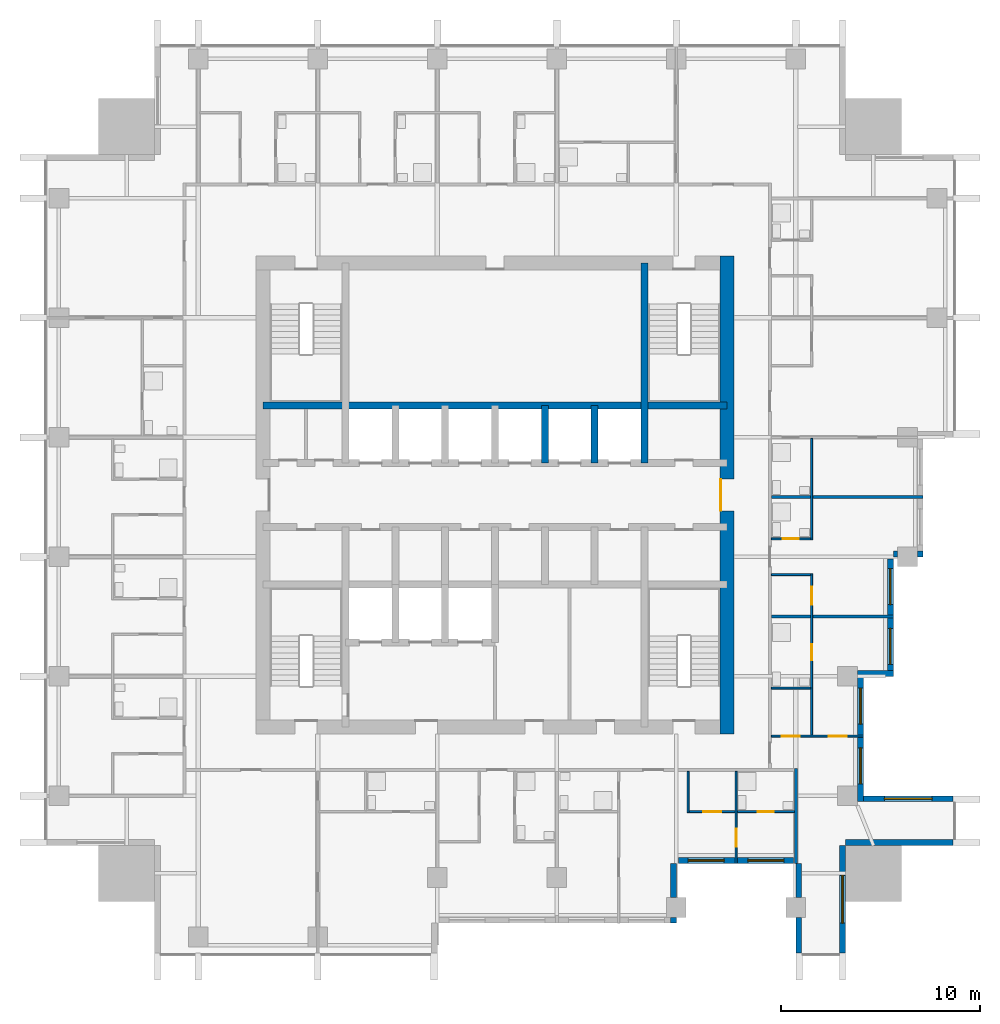
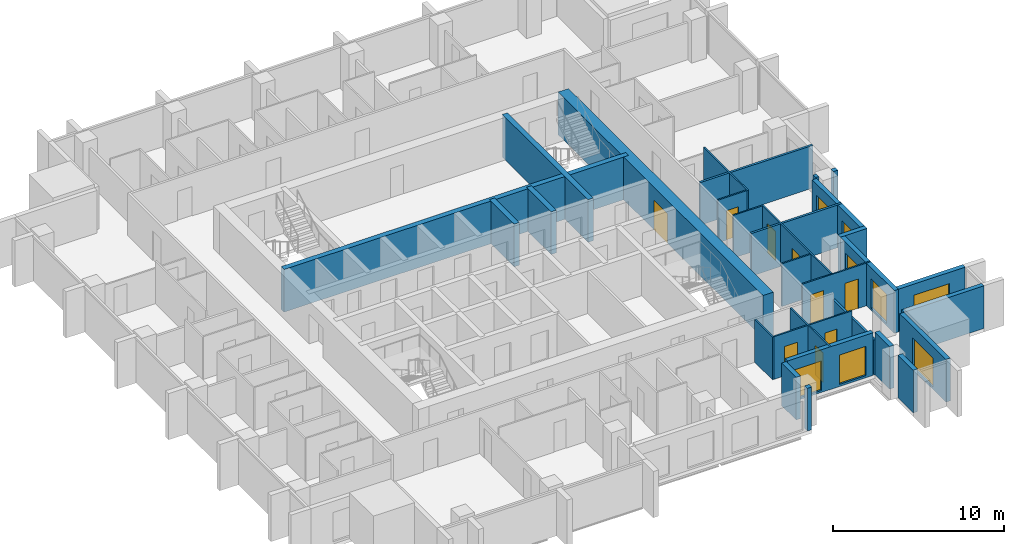
# One storey, part 6 of 10: 30 walls, 9 doors, 8 windows, 17 openings.
"""IFC4 building model written with IfcOpenShell, lengths in metres."""

from ifc_helpers import new_model, si_unit, direction, frame, frame_2d, origin, place, context, subcontext, project, spatial, rectangle, extrude, material, layer, layer_set, type_object, element, fill, save


model = new_model("IFC4")

# Units and contexts
model_context = context("Model", 3, precision=1e-05, world=origin(), true_north=direction((0.0, 1.0)))
body_context = subcontext(model_context, "Body", "Model", "MODEL_VIEW")
ifc_project = project(units=[si_unit("LENGTHUNIT", "METRE"), si_unit("AREAUNIT", "SQUARE_METRE"), si_unit("VOLUMEUNIT", "CUBIC_METRE"), si_unit("PLANEANGLEUNIT", "RADIAN"), si_unit("MASSUNIT", "GRAM", prefix="KILO")], contexts=[model_context])

# Site, building, storey
site_placement = place(None, origin())
site = spatial("IfcSite", under=ifc_project, at=site_placement, CompositionType="ELEMENT")
building_placement = place(site_placement, origin())
building = spatial("IfcBuilding", under=site, at=building_placement, Name="Amberfall Residences", CompositionType="ELEMENT")
storey_placement = place(building_placement, frame((0.0, 0.0, 158.199951171875)))
storey = spatial("IfcBuildingStorey", under=building, at=storey_placement, Name="L42", CompositionType="ELEMENT", Elevation=158.199951171875)

# Walls
ifc_material_1 = material(Name="Pale stone cladding on insulated backing", Category="masonry")
ifc_layer_1 = layer(ifc_material_1, 0.300048828125)
ifc_layer_set_1 = layer_set([ifc_layer_1], Name="Bronze clad wall 300")
wall_type_1 = type_object("IfcWallType", Name="Bronze clad wall 300", PredefinedType="SOLIDWALL", material=ifc_layer_set_1)
wall_1_placement = place(storey_placement, frame((83.449951171875, 24.0, 0.0), z_axis=(0.0, 0.0, 1.0), x_axis=(0.0, 1.0, 0.0)))
element("IfcWall", 1, at=wall_1_placement, inside=storey, type_object=wall_type_1, Name="External wall L42 S", PredefinedType="SOLIDWALL", context=body_context, shape_type="SweptSolid", body=[
    extrude(rectangle(XDim=0.300048828125, YDim=0.300048828125, at=frame_2d((0.14990234375, 0.0))), origin(), (0.0, 0.0, 1.0), 3.050048828125),
])
for number, where, z_axis, x_axis, name in (
    (2, (83.449951171875, 25.300048828125, 0.0), (0.0, 0.0, 1.0), (0.0, 1.0, 0.0), "External wall L42 S"),
    (3, (89.75, 27.0, 0.0), (0.0, 0.0, 1.0), (0.0, -1.0, 0.0), "External wall L42 S"),
):
    element("IfcWall", number, at=place(storey_placement, frame(where, z_axis=z_axis, x_axis=x_axis)), inside=storey, type_object=wall_type_1, Name=name, PredefinedType="SOLIDWALL", context=body_context, shape_type="SweptSolid", body=[
        extrude(rectangle(XDim=1.699951171875, YDim=0.300048828125, at=frame_2d((0.85009765625, 0.0))), origin(), (0.0, 0.0, 1.0), 3.050048828125),
    ])
wall_2_placement = place(storey_placement, frame((89.75, 24.300048828125, 0.0), z_axis=(0.0, 0.0, 1.0), x_axis=(0.0, -1.0, 0.0)))
element("IfcWall", 4, at=wall_2_placement, inside=storey, type_object=wall_type_1, Name="External wall L42 S", PredefinedType="SOLIDWALL", context=body_context, shape_type="SweptSolid", body=[
    extrude(rectangle(XDim=1.800048828125, YDim=0.300048828125, at=frame_2d((0.89990234375, 0.0))), origin(), (0.0, 0.0, 1.0), 3.050048828125),
])

# Wall, opening, window
wall_3_placement = place(storey_placement, frame((91.949951171875, 22.5, 0.0), z_axis=(0.0, 0.0, 1.0), x_axis=(0.0, 1.0, 0.0)))
wall_3 = element("IfcWall", 5, at=wall_3_placement, inside=storey, type_object=wall_type_1, Name="External wall L42 SE", PredefinedType="SOLIDWALL", context=body_context, shape_type="SweptSolid", body=[
    extrude(rectangle(XDim=5.39990234375, YDim=0.300048828125, at=frame_2d((2.699951171875, 0.0))), origin(), (0.0, 0.0, 1.0), 3.050048828125),
])
opening_1_placement = place(wall_3_placement, frame((1.5, 0.0, 0.14990234375)))
opening_1 = element("IfcOpeningElement", 6, at=opening_1_placement, cuts=wall_3, Name="Opening WN5", PredefinedType="OPENING", context=body_context, shape_type="SweptSolid", body=[
    extrude(rectangle(XDim=2.39990234375, YDim=2.10009765625, at=frame_2d((1.199951171875, 1.050048828125))), frame((0.0, 0.159912109375, 0.0), z_axis=(0.0, -1.0, 0.0), x_axis=(1.0, 0.0, 0.0)), (0.0, 0.0, 1.0), 0.320068359375),
])
ifc_material_2 = material(Name="Bronze aluminium framed glazing", Category="aluminium")
window_type_1 = type_object("IfcWindowType", Name="Glazed opening 2400 x 2100 bronze", PartitioningType="DOUBLE_PANEL_VERTICAL", PredefinedType="WINDOW", material=ifc_material_2)
window_1_placement = place(opening_1_placement, origin())
window_1 = element("IfcWindow", 7, at=window_1_placement, inside=storey, type_object=window_type_1, Name="Window L42 SE", OverallHeight=2.10009765625, OverallWidth=2.39990234375, PartitioningType="DOUBLE_PANEL_VERTICAL", PredefinedType="WINDOW", context=body_context, shape_type="SweptSolid", body=[
    extrude(rectangle(XDim=2.39990234375, YDim=2.10009765625, at=frame_2d((1.199951171875, 1.050048828125))), frame((0.0, 0.030029296875, 0.0), z_axis=(0.0, -1.0, 0.0), x_axis=(1.0, 0.0, 0.0)), (0.0, 0.0, 1.0), 0.06005859375),
])
fill(opening_1, window_1)

# Wall
wall_4_placement = place(storey_placement, frame((92.10009765625, 28.050048828125, 0.0), z_axis=(0.0, 0.0, 1.0), x_axis=(1.0, 0.0, 0.0)))
element("IfcWall", 8, at=wall_4_placement, inside=storey, type_object=wall_type_1, Name="External wall L42 SE", PredefinedType="SOLIDWALL", context=body_context, shape_type="SweptSolid", body=[
    extrude(rectangle(XDim=5.39990234375, YDim=0.300048828125, at=frame_2d((2.699951171875, 0.0))), origin(), (0.0, 0.0, 1.0), 3.050048828125),
])

# Wall, opening, window
wall_5_placement = place(storey_placement, frame((97.5, 30.25, 0.0), z_axis=(0.0, 0.0, 1.0), x_axis=(-1.0, 0.0, 0.0)))
wall_5 = element("IfcWall", 9, at=wall_5_placement, inside=storey, type_object=wall_type_1, Name="External wall L42 E", PredefinedType="SOLIDWALL", context=body_context, shape_type="SweptSolid", body=[
    extrude(rectangle(XDim=4.5, YDim=0.300048828125, at=frame_2d((2.25, 0.0))), origin(), (0.0, 0.0, 1.0), 3.050048828125),
])
opening_2_placement = place(wall_5_placement, frame((1.050048828125, 0.0, 0.14990234375)))
opening_2 = element("IfcOpeningElement", 10, at=opening_2_placement, cuts=wall_5, Name="Opening WN5", PredefinedType="OPENING", context=body_context, shape_type="SweptSolid", body=[
    extrude(rectangle(XDim=2.39990234375, YDim=2.10009765625, at=frame_2d((1.199951171875, 1.050048828125))), frame((0.0, 0.159912109375, 0.0), z_axis=(0.0, -1.0, 0.0), x_axis=(1.0, 0.0, 0.0)), (0.0, 0.0, 1.0), 0.320068359375),
])
window_2_placement = place(opening_2_placement, origin())
window_2 = element("IfcWindow", 11, at=window_2_placement, inside=storey, type_object=window_type_1, Name="Window L42 E", OverallHeight=2.10009765625, OverallWidth=2.39990234375, PartitioningType="DOUBLE_PANEL_VERTICAL", PredefinedType="WINDOW", context=body_context, shape_type="SweptSolid", body=[
    extrude(rectangle(XDim=2.39990234375, YDim=2.10009765625, at=frame_2d((1.199951171875, 1.050048828125))), frame((0.0, 0.030029296875, 0.0), z_axis=(0.0, -1.0, 0.0), x_axis=(1.0, 0.0, 0.0)), (0.0, 0.0, 1.0), 0.06005859375),
])
fill(opening_2, window_2)

# Walls
wall_6_placement = place(storey_placement, frame((92.699951171875, 36.550048828125, 0.0), z_axis=(0.0, 0.0, 1.0), x_axis=(1.0, 0.0, 0.0)))
element("IfcWall", 12, at=wall_6_placement, inside=storey, type_object=wall_type_1, Name="External wall L42 E", PredefinedType="SOLIDWALL", context=body_context, shape_type="SweptSolid", body=[
    extrude(rectangle(XDim=1.800048828125, YDim=0.300048828125, at=frame_2d((0.89990234375, 0.0))), origin(), (0.0, 0.0, 1.0), 3.050048828125),
])
wall_7_placement = place(storey_placement, frame((94.5, 42.550048828125, 0.0), z_axis=(0.0, 0.0, 1.0), x_axis=(1.0, 0.0, 0.0)))
element("IfcWall", 13, at=wall_7_placement, inside=storey, type_object=wall_type_1, Name="External wall L42 E", PredefinedType="SOLIDWALL", context=body_context, shape_type="SweptSolid", body=[
    extrude(rectangle(XDim=0.199951171875, YDim=0.300048828125, at=frame_2d((0.10009765625, 0.0))), origin(), (0.0, 0.0, 1.0), 3.050048828125),
])
wall_8_placement = place(storey_placement, frame((95.699951171875, 42.550048828125, 0.0), z_axis=(0.0, 0.0, 1.0), x_axis=(1.0, 0.0, 0.0)))
element("IfcWall", 14, at=wall_8_placement, inside=storey, type_object=wall_type_1, Name="External wall L42 E", PredefinedType="SOLIDWALL", context=body_context, shape_type="SweptSolid", body=[
    extrude(rectangle(XDim=0.300048828125, YDim=0.300048828125, at=frame_2d((0.14990234375, 0.0))), origin(), (0.0, 0.0, 1.0), 3.050048828125),
])

# Wall, openings, windows
wall_9_placement = place(storey_placement, frame((83.699951171875, 27.14990234375, 0.0), z_axis=(0.0, 0.0, 1.0), x_axis=(1.0, 0.0, 0.0)))
wall_9 = element("IfcWall", 15, at=wall_9_placement, inside=storey, type_object=wall_type_1, Name="Stone wall L42 S", PredefinedType="SOLIDWALL", context=body_context, shape_type="SweptSolid", body=[
    extrude(rectangle(XDim=5.7900390625, YDim=0.300048828125, at=frame_2d((2.89501953125, 0.0))), origin(), (0.0, 0.0, 1.0), 3.050048828125),
])
opening_3_placement = place(wall_9_placement, frame((0.5, 0.0, 0.14990234375)))
opening_3 = element("IfcOpeningElement", 16, at=opening_3_placement, cuts=wall_9, Name="Opening WN6", PredefinedType="OPENING", context=body_context, shape_type="SweptSolid", body=[
    extrude(rectangle(XDim=1.800048828125, YDim=2.10009765625, at=frame_2d((0.89990234375, 1.050048828125))), frame((0.0, 0.159912109375, 0.0), z_axis=(0.0, -1.0, 0.0), x_axis=(1.0, 0.0, 0.0)), (0.0, 0.0, 1.0), 0.320068359375),
])
opening_4_placement = place(wall_9_placement, frame((3.5, 0.0, 0.14990234375)))
opening_4 = element("IfcOpeningElement", 17, at=opening_4_placement, cuts=wall_9, Name="Opening WN6", PredefinedType="OPENING", context=body_context, shape_type="SweptSolid", body=[
    extrude(rectangle(XDim=1.800048828125, YDim=2.10009765625, at=frame_2d((0.89990234375, 1.050048828125))), frame((0.0, 0.159912109375, 0.0), z_axis=(0.0, -1.0, 0.0), x_axis=(1.0, 0.0, 0.0)), (0.0, 0.0, 1.0), 0.320068359375),
])
window_type_2 = type_object("IfcWindowType", Name="Glazed opening 1800 x 2100 bronze", PartitioningType="DOUBLE_PANEL_VERTICAL", PredefinedType="WINDOW", material=ifc_material_2)
window_3_placement = place(opening_3_placement, origin())
window_3 = element("IfcWindow", 18, at=window_3_placement, inside=storey, type_object=window_type_2, Name="Window L42 S", OverallHeight=2.10009765625, OverallWidth=1.800048828125, PartitioningType="DOUBLE_PANEL_VERTICAL", PredefinedType="WINDOW", context=body_context, shape_type="SweptSolid", body=[
    extrude(rectangle(XDim=1.800048828125, YDim=2.10009765625, at=frame_2d((0.89990234375, 1.050048828125))), frame((0.0, 0.030029296875, 0.0), z_axis=(0.0, -1.0, 0.0), x_axis=(1.0, 0.0, 0.0)), (0.0, 0.0, 1.0), 0.06005859375),
])
fill(opening_3, window_3)
window_4_placement = place(opening_4_placement, origin())
window_4 = element("IfcWindow", 19, at=window_4_placement, inside=storey, type_object=window_type_2, Name="Window L42 S", OverallHeight=2.10009765625, OverallWidth=1.800048828125, PartitioningType="DOUBLE_PANEL_VERTICAL", PredefinedType="WINDOW", context=body_context, shape_type="SweptSolid", body=[
    extrude(rectangle(XDim=1.800048828125, YDim=2.10009765625, at=frame_2d((0.89990234375, 1.050048828125))), frame((0.0, 0.030029296875, 0.0), z_axis=(0.0, -1.0, 0.0), x_axis=(1.0, 0.0, 0.0)), (0.0, 0.0, 1.0), 0.06005859375),
])
fill(opening_4, window_4)

wall_10_placement = place(storey_placement, frame((92.85009765625, 30.10009765625, 0.0), z_axis=(0.0, 0.0, 1.0), x_axis=(0.0, 1.0, 0.0)))
wall_10 = element("IfcWall", 20, at=wall_10_placement, inside=storey, type_object=wall_type_1, Name="Stone wall L42 E", PredefinedType="SOLIDWALL", context=body_context, shape_type="SweptSolid", body=[
    extrude(rectangle(XDim=6.2998046875, YDim=0.300048828125, at=frame_2d((3.14990234375, 0.0))), origin(), (0.0, 0.0, 1.0), 3.050048828125),
])
opening_5_placement = place(wall_10_placement, frame((0.89990234375, 0.0, 0.14990234375)))
opening_5 = element("IfcOpeningElement", 21, at=opening_5_placement, cuts=wall_10, Name="Opening WN6", PredefinedType="OPENING", context=body_context, shape_type="SweptSolid", body=[
    extrude(rectangle(XDim=1.800048828125, YDim=2.10009765625, at=frame_2d((0.89990234375, 1.050048828125))), frame((0.0, 0.159912109375, 0.0), z_axis=(0.0, -1.0, 0.0), x_axis=(1.0, 0.0, 0.0)), (0.0, 0.0, 1.0), 0.320068359375),
])
opening_6_placement = place(wall_10_placement, frame((3.89990234375, 0.0, 0.14990234375)))
opening_6 = element("IfcOpeningElement", 22, at=opening_6_placement, cuts=wall_10, Name="Opening WN6", PredefinedType="OPENING", context=body_context, shape_type="SweptSolid", body=[
    extrude(rectangle(XDim=1.800048828125, YDim=2.10009765625, at=frame_2d((0.89990234375, 1.050048828125))), frame((0.0, 0.159912109375, 0.0), z_axis=(0.0, -1.0, 0.0), x_axis=(1.0, 0.0, 0.0)), (0.0, 0.0, 1.0), 0.320068359375),
])
window_5_placement = place(opening_5_placement, origin())
window_5 = element("IfcWindow", 23, at=window_5_placement, inside=storey, type_object=window_type_2, Name="Window L42 E", OverallHeight=2.10009765625, OverallWidth=1.800048828125, PartitioningType="DOUBLE_PANEL_VERTICAL", PredefinedType="WINDOW", context=body_context, shape_type="SweptSolid", body=[
    extrude(rectangle(XDim=1.800048828125, YDim=2.10009765625, at=frame_2d((0.89990234375, 1.050048828125))), frame((0.0, 0.030029296875, 0.0), z_axis=(0.0, -1.0, 0.0), x_axis=(1.0, 0.0, 0.0)), (0.0, 0.0, 1.0), 0.06005859375),
])
fill(opening_5, window_5)
window_6_placement = place(opening_6_placement, origin())
window_6 = element("IfcWindow", 24, at=window_6_placement, inside=storey, type_object=window_type_2, Name="Window L42 E", OverallHeight=2.10009765625, OverallWidth=1.800048828125, PartitioningType="DOUBLE_PANEL_VERTICAL", PredefinedType="WINDOW", context=body_context, shape_type="SweptSolid", body=[
    extrude(rectangle(XDim=1.800048828125, YDim=2.10009765625, at=frame_2d((0.89990234375, 1.050048828125))), frame((0.0, 0.030029296875, 0.0), z_axis=(0.0, -1.0, 0.0), x_axis=(1.0, 0.0, 0.0)), (0.0, 0.0, 1.0), 0.06005859375),
])
fill(opening_6, window_6)

wall_11_placement = place(storey_placement, frame((94.35009765625, 36.699951171875, 0.0), z_axis=(0.0, 0.0, 1.0), x_axis=(0.0, 1.0, 0.0)))
wall_11 = element("IfcWall", 25, at=wall_11_placement, inside=storey, type_object=wall_type_1, Name="Stone wall L42 E", PredefinedType="SOLIDWALL", context=body_context, shape_type="SweptSolid", body=[
    extrude(rectangle(XDim=5.60009765625, YDim=0.300048828125, at=frame_2d((2.800048828125, 0.0))), origin(), (0.0, 0.0, 1.0), 3.050048828125),
])
opening_7_placement = place(wall_11_placement, frame((0.300048828125, 0.0, 0.14990234375)))
opening_7 = element("IfcOpeningElement", 26, at=opening_7_placement, cuts=wall_11, Name="Opening WN6", PredefinedType="OPENING", context=body_context, shape_type="SweptSolid", body=[
    extrude(rectangle(XDim=1.800048828125, YDim=2.10009765625, at=frame_2d((0.89990234375, 1.050048828125))), frame((0.0, 0.159912109375, 0.0), z_axis=(0.0, -1.0, 0.0), x_axis=(1.0, 0.0, 0.0)), (0.0, 0.0, 1.0), 0.320068359375),
])
opening_8_placement = place(wall_11_placement, frame((3.300048828125, 0.0, 0.14990234375)))
opening_8 = element("IfcOpeningElement", 27, at=opening_8_placement, cuts=wall_11, Name="Opening WN6", PredefinedType="OPENING", context=body_context, shape_type="SweptSolid", body=[
    extrude(rectangle(XDim=1.800048828125, YDim=2.10009765625, at=frame_2d((0.89990234375, 1.050048828125))), frame((0.0, 0.159912109375, 0.0), z_axis=(0.0, -1.0, 0.0), x_axis=(1.0, 0.0, 0.0)), (0.0, 0.0, 1.0), 0.320068359375),
])
window_7_placement = place(opening_7_placement, origin())
window_7 = element("IfcWindow", 28, at=window_7_placement, inside=storey, type_object=window_type_2, Name="Window L42 E", OverallHeight=2.10009765625, OverallWidth=1.800048828125, PartitioningType="DOUBLE_PANEL_VERTICAL", PredefinedType="WINDOW", context=body_context, shape_type="SweptSolid", body=[
    extrude(rectangle(XDim=1.800048828125, YDim=2.10009765625, at=frame_2d((0.89990234375, 1.050048828125))), frame((0.0, 0.030029296875, 0.0), z_axis=(0.0, -1.0, 0.0), x_axis=(1.0, 0.0, 0.0)), (0.0, 0.0, 1.0), 0.06005859375),
])
fill(opening_7, window_7)
window_8_placement = place(opening_8_placement, origin())
window_8 = element("IfcWindow", 29, at=window_8_placement, inside=storey, type_object=window_type_2, Name="Window L42 E", OverallHeight=2.10009765625, OverallWidth=1.800048828125, PartitioningType="DOUBLE_PANEL_VERTICAL", PredefinedType="WINDOW", context=body_context, shape_type="SweptSolid", body=[
    extrude(rectangle(XDim=1.800048828125, YDim=2.10009765625, at=frame_2d((0.89990234375, 1.050048828125))), frame((0.0, 0.030029296875, 0.0), z_axis=(0.0, -1.0, 0.0), x_axis=(1.0, 0.0, 0.0)), (0.0, 0.0, 1.0), 0.06005859375),
])
fill(opening_8, window_8)

# Walls
ifc_material_3 = material(Name="Concrete C60", Category="concrete")
ifc_layer_2 = layer(ifc_material_3, 0.35009765625)
ifc_layer_set_2 = layer_set([ifc_layer_2], Name="Core wall 350 C60")
wall_type_2 = type_object("IfcWallType", Name="Core wall 350 C60", PredefinedType="SHEAR", material=ifc_layer_set_2)
wall_12_placement = place(storey_placement, frame((62.85009765625, 50.0, 0.0), z_axis=(0.0, 0.0, 1.0), x_axis=(1.0, 0.0, 0.0)))
element("IfcWall", 30, at=wall_12_placement, inside=storey, type_object=wall_type_2, Name="Core wall RW6 L42 H165", PredefinedType="SHEAR", context=body_context, shape_type="SweptSolid", body=[
    extrude(rectangle(XDim=23.2998046875, YDim=0.35009765625, at=frame_2d((11.64990234375, 0.0))), origin(), (0.0, 0.0, 1.0), 3.050048828125),
])
wall_13_placement = place(storey_placement, frame((82.0, 47.10009765625, 0.0), z_axis=(0.0, 0.0, 1.0), x_axis=(0.0, 1.0, 0.0)))
element("IfcWall", 31, at=wall_13_placement, inside=storey, type_object=wall_type_2, Name="Core wall RW6 L42 V195N", PredefinedType="SHEAR", context=body_context, shape_type="SweptSolid", body=[
    extrude(rectangle(XDim=10.0498046875, YDim=0.35009765625, at=frame_2d((5.02490234375, 0.0))), origin(), (0.0, 0.0, 1.0), 3.050048828125),
])
for number, where, z_axis, x_axis, name in (
    (32, (77.0, 47.10009765625, 0.0), (0.0, 0.0, 1.0), (0.0, 1.0, 0.0), "Core wall RW6 L42 HPD4"),
    (33, (79.5, 47.10009765625, 0.0), (0.0, 0.0, 1.0), (0.0, 1.0, 0.0), "Core wall RW6 L42 HPD5"),
):
    element("IfcWall", number, at=place(storey_placement, frame(where, z_axis=z_axis, x_axis=x_axis)), inside=storey, type_object=wall_type_2, Name=name, PredefinedType="SHEAR", context=body_context, shape_type="SweptSolid", body=[
        extrude(rectangle(XDim=2.89990234375, YDim=0.35009765625, at=frame_2d((1.449951171875, 0.0))), origin(), (0.0, 0.0, 1.0), 3.050048828125),
    ])

# Wall, opening, door
ifc_layer_3 = layer(ifc_material_3, 0.699951171875)
ifc_layer_set_3 = layer_set([ifc_layer_3], Name="Core wall 700 C60")
wall_type_3 = type_object("IfcWallType", Name="Core wall 700 C60", PredefinedType="SHEAR", material=ifc_layer_set_3)
wall_14_placement = place(storey_placement, frame((86.14990234375, 33.5, 0.0), z_axis=(0.0, 0.0, 1.0), x_axis=(0.0, 1.0, 0.0)))
wall_14 = element("IfcWall", 34, at=wall_14_placement, inside=storey, type_object=wall_type_3, Name="Core wall RW5 L42 OE", PredefinedType="SHEAR", context=body_context, shape_type="SweptSolid", body=[
    extrude(rectangle(XDim=24.0, YDim=0.699951171875, at=frame_2d((12.0, 0.0))), origin(), (0.0, 0.0, 1.0), 3.050048828125),
])
opening_9_placement = place(wall_14_placement, frame((11.199951171875, 0.0, 0.0)))
opening_9 = element("IfcOpeningElement", 35, at=opening_9_placement, cuts=wall_14, Name="Opening LB1", PredefinedType="OPENING", context=body_context, shape_type="SweptSolid", body=[
    extrude(rectangle(XDim=1.60009765625, YDim=2.10009765625, at=frame_2d((0.800048828125, 1.050048828125))), frame((0.0, 0.35986328125, 0.0), z_axis=(0.0, -1.0, 0.0), x_axis=(1.0, 0.0, 0.0)), (0.0, 0.0, 1.0), 0.719970703125),
])
ifc_material_4 = material(Name="Steel fire door set", Category="steel")
door_type_1 = type_object("IfcDoorType", Name="Lift lobby double door 1600 x 2100", OperationType="DOUBLE_DOOR_SINGLE_SWING", PredefinedType="DOOR", material=ifc_material_4)
door_1_placement = place(opening_9_placement, origin())
door_1 = element("IfcDoor", 36, at=door_1_placement, inside=storey, type_object=door_type_1, Name="LB1 L42", OperationType="DOUBLE_DOOR_SINGLE_SWING", OverallHeight=2.10009765625, OverallWidth=1.60009765625, PredefinedType="DOOR", context=body_context, shape_type="SweptSolid", body=[
    extrude(rectangle(XDim=1.60009765625, YDim=2.10009765625, at=frame_2d((0.800048828125, 1.050048828125))), frame((0.0, 0.33740234375, 0.0), z_axis=(0.0, -1.0, 0.0), x_axis=(1.0, 0.0, 0.0)), (0.0, 0.0, 1.0), 0.050048828125),
])
fill(opening_9, door_1)

# Wall
ifc_material_5 = material(Name="Gypsum board on metal stud")
ifc_layer_4 = layer(ifc_material_5, 0.10009765625)
ifc_layer_set_4 = layer_set([ifc_layer_4], Name="Flat partition 100")
wall_type_4 = type_object("IfcWallType", Name="Flat partition 100", PredefinedType="PARTITIONING", material=ifc_layer_set_4)
wall_15_placement = place(storey_placement, frame((84.199951171875, 29.550048828125, 0.0), z_axis=(0.0, 0.0, 1.0), x_axis=(0.0, 1.0, 0.0)))
element("IfcWall", 37, at=wall_15_placement, inside=storey, type_object=wall_type_4, Name="Partition 019", PredefinedType="PARTITIONING", context=body_context, shape_type="SweptSolid", body=[
    extrude(rectangle(XDim=2.074951171875, YDim=0.10009765625, at=frame_2d((1.03759765625, 0.0))), origin(), (0.0, 0.0, 1.0), 3.050048828125),
])

# Wall, opening, door
wall_16_placement = place(storey_placement, frame((86.60009765625, 31.625, 0.0), z_axis=(0.0, 0.0, 1.0), x_axis=(0.0, -1.0, 0.0)))
wall_16 = element("IfcWall", 38, at=wall_16_placement, inside=storey, type_object=wall_type_4, Name="Partition 020", PredefinedType="PARTITIONING", context=body_context, shape_type="SweptSolid", body=[
    extrude(rectangle(XDim=4.625, YDim=0.10009765625, at=frame_2d((2.3125, 0.0))), origin(), (0.0, 0.0, 1.0), 3.050048828125),
])
opening_10_placement = place(wall_16_placement, frame((2.875, 0.0, 0.0)))
opening_10 = element("IfcOpeningElement", 39, at=opening_10_placement, cuts=wall_16, Name="Opening D41", PredefinedType="OPENING", context=body_context, shape_type="SweptSolid", body=[
    extrude(rectangle(XDim=0.89990234375, YDim=2.10009765625, at=frame_2d((0.449951171875, 1.050048828125))), frame((0.0, 0.06005859375, 0.0), z_axis=(0.0, -1.0, 0.0), x_axis=(1.0, 0.0, 0.0)), (0.0, 0.0, 1.0), 0.1201171875),
])
ifc_material_6 = material(Name="Timber", Category="wood")
door_type_2 = type_object("IfcDoorType", Name="Internal door 900 x 2100", OperationType="SINGLE_SWING_LEFT", PredefinedType="DOOR", material=ifc_material_6)
door_2_placement = place(opening_10_placement, origin())
door_2 = element("IfcDoor", 40, at=door_2_placement, inside=storey, type_object=door_type_2, Name="Door 4203 bedroom2", OperationType="SINGLE_SWING_LEFT", OverallHeight=2.10009765625, OverallWidth=0.89990234375, PredefinedType="DOOR", context=body_context, shape_type="SweptSolid", body=[
    extrude(rectangle(XDim=0.89990234375, YDim=2.10009765625, at=frame_2d((0.449951171875, 1.050048828125))), frame((0.0, 0.02490234375, 0.0), z_axis=(0.0, -1.0, 0.0), x_axis=(1.0, 0.0, 0.0)), (0.0, 0.0, 1.0), 0.050048828125),
])
fill(opening_10, door_2)

# Wall, openings, doors
wall_17_placement = place(storey_placement, frame((90.39990234375, 33.449951171875, 0.0), z_axis=(0.0, 0.0, 1.0), x_axis=(0.0, 1.0, 0.0)))
wall_17 = element("IfcWall", 41, at=wall_17_placement, inside=storey, type_object=wall_type_4, Name="Partition 021", PredefinedType="PARTITIONING", context=body_context, shape_type="SweptSolid", body=[
    extrude(rectangle(XDim=8.10009765625, YDim=0.10009765625, at=frame_2d((4.050048828125, 0.0))), origin(), (0.0, 0.0, 1.0), 3.050048828125),
])
opening_11_placement = place(wall_17_placement, frame((3.75, 0.0, 0.0)))
opening_11 = element("IfcOpeningElement", 42, at=opening_11_placement, cuts=wall_17, Name="Opening D42", PredefinedType="OPENING", context=body_context, shape_type="SweptSolid", body=[
    extrude(rectangle(XDim=0.800048828125, YDim=2.10009765625, at=frame_2d((0.39990234375, 1.050048828125))), frame((0.0, 0.06005859375, 0.0), z_axis=(0.0, -1.0, 0.0), x_axis=(1.0, 0.0, 0.0)), (0.0, 0.0, 1.0), 0.1201171875),
])
opening_12_placement = place(wall_17_placement, frame((6.550048828125, 0.0, 0.0)))
opening_12 = element("IfcOpeningElement", 43, at=opening_12_placement, cuts=wall_17, Name="Opening D41", PredefinedType="OPENING", context=body_context, shape_type="SweptSolid", body=[
    extrude(rectangle(XDim=0.89990234375, YDim=2.10009765625, at=frame_2d((0.449951171875, 1.050048828125))), frame((0.0, 0.06005859375, 0.0), z_axis=(0.0, -1.0, 0.0), x_axis=(1.0, 0.0, 0.0)), (0.0, 0.0, 1.0), 0.1201171875),
])
door_type_3 = type_object("IfcDoorType", Name="Bathroom door 800 x 2100", OperationType="SINGLE_SWING_LEFT", PredefinedType="DOOR", material=ifc_material_6)
door_3_placement = place(opening_11_placement, origin())
door_3 = element("IfcDoor", 44, at=door_3_placement, inside=storey, type_object=door_type_3, Name="Door 4204 bath1", OperationType="SINGLE_SWING_LEFT", OverallHeight=2.10009765625, OverallWidth=0.800048828125, PredefinedType="DOOR", context=body_context, shape_type="SweptSolid", body=[
    extrude(rectangle(XDim=0.800048828125, YDim=2.10009765625, at=frame_2d((0.39990234375, 1.050048828125))), frame((0.0, 0.02490234375, 0.0), z_axis=(0.0, -1.0, 0.0), x_axis=(1.0, 0.0, 0.0)), (0.0, 0.0, 1.0), 0.050048828125),
])
fill(opening_11, door_3)
door_4_placement = place(opening_12_placement, origin())
door_4 = element("IfcDoor", 45, at=door_4_placement, inside=storey, type_object=door_type_2, Name="Door 4205 kitchen", OperationType="SINGLE_SWING_LEFT", OverallHeight=2.10009765625, OverallWidth=0.89990234375, PredefinedType="DOOR", context=body_context, shape_type="SweptSolid", body=[
    extrude(rectangle(XDim=0.89990234375, YDim=2.10009765625, at=frame_2d((0.449951171875, 1.050048828125))), frame((0.0, 0.02490234375, 0.0), z_axis=(0.0, -1.0, 0.0), x_axis=(1.0, 0.0, 0.0)), (0.0, 0.0, 1.0), 0.050048828125),
])
fill(opening_12, door_4)

# Wall
wall_18_placement = place(storey_placement, frame((90.39990234375, 43.25, 0.0), z_axis=(0.0, 0.0, 1.0), x_axis=(0.0, 1.0, 0.0)))
element("IfcWall", 46, at=wall_18_placement, inside=storey, type_object=wall_type_4, Name="Partition 022", PredefinedType="PARTITIONING", context=body_context, shape_type="SweptSolid", body=[
    extrude(rectangle(XDim=5.10009765625, YDim=0.10009765625, at=frame_2d((2.550048828125, 0.0))), origin(), (0.0, 0.0, 1.0), 3.050048828125),
])

# Wall, opening, door
wall_19_placement = place(storey_placement, frame((88.375, 43.300048828125, 0.0), z_axis=(0.0, 0.0, 1.0), x_axis=(1.0, 0.0, 0.0)))
wall_19 = element("IfcWall", 47, at=wall_19_placement, inside=storey, type_object=wall_type_4, Name="Partition 038", PredefinedType="PARTITIONING", context=body_context, shape_type="SweptSolid", body=[
    extrude(rectangle(XDim=1.97509765625, YDim=0.10009765625, at=frame_2d((0.987548828125, 0.0))), origin(), (0.0, 0.0, 1.0), 3.050048828125),
])
opening_13_placement = place(wall_19_placement, frame((0.574951171875, 0.0, 0.0)))
opening_13 = element("IfcOpeningElement", 48, at=opening_13_placement, cuts=wall_19, Name="Opening D42", PredefinedType="OPENING", context=body_context, shape_type="SweptSolid", body=[
    extrude(rectangle(XDim=0.800048828125, YDim=2.10009765625, at=frame_2d((0.39990234375, 1.050048828125))), frame((0.0, 0.06005859375, 0.0), z_axis=(0.0, -1.0, 0.0), x_axis=(1.0, 0.0, 0.0)), (0.0, 0.0, 1.0), 0.1201171875),
])
door_5_placement = place(opening_13_placement, origin())
door_5 = element("IfcDoor", 49, at=door_5_placement, inside=storey, type_object=door_type_3, Name="Door 4205 bath1", OperationType="SINGLE_SWING_LEFT", OverallHeight=2.10009765625, OverallWidth=0.800048828125, PredefinedType="DOOR", context=body_context, shape_type="SweptSolid", body=[
    extrude(rectangle(XDim=0.800048828125, YDim=2.10009765625, at=frame_2d((0.39990234375, 1.050048828125))), frame((0.0, 0.02490234375, 0.0), z_axis=(0.0, -1.0, 0.0), x_axis=(1.0, 0.0, 0.0)), (0.0, 0.0, 1.0), 0.050048828125),
])
fill(opening_13, door_5)

# Walls
for number, where, z_axis, x_axis, name in (
    (50, (88.375, 41.5, 0.0), (0.0, 0.0, 1.0), (1.0, 0.0, 0.0), "Partition 039"),
    (51, (88.375, 35.800048828125, 0.0), (0.0, 0.0, 1.0), (1.0, 0.0, 0.0), "Partition 042"),
):
    element("IfcWall", number, at=place(storey_placement, frame(where, z_axis=z_axis, x_axis=x_axis)), inside=storey, type_object=wall_type_4, Name=name, PredefinedType="PARTITIONING", context=body_context, shape_type="SweptSolid", body=[
        extrude(rectangle(XDim=1.97509765625, YDim=0.10009765625, at=frame_2d((0.987548828125, 0.0))), origin(), (0.0, 0.0, 1.0), 3.050048828125),
    ])

# Wall, openings, doors
wall_20_placement = place(storey_placement, frame((88.375, 33.39990234375, 0.0), z_axis=(0.0, 0.0, 1.0), x_axis=(1.0, 0.0, 0.0)))
wall_20 = element("IfcWall", 52, at=wall_20_placement, inside=storey, type_object=wall_type_4, Name="Partition 044", PredefinedType="PARTITIONING", context=body_context, shape_type="SweptSolid", body=[
    extrude(rectangle(XDim=4.625, YDim=0.10009765625, at=frame_2d((2.3125, 0.0))), origin(), (0.0, 0.0, 1.0), 3.050048828125),
])
opening_14_placement = place(wall_20_placement, frame((0.52490234375, 0.0, 0.0)))
opening_14 = element("IfcOpeningElement", 53, at=opening_14_placement, cuts=wall_20, Name="Opening D41", PredefinedType="OPENING", context=body_context, shape_type="SweptSolid", body=[
    extrude(rectangle(XDim=0.89990234375, YDim=2.10009765625, at=frame_2d((0.449951171875, 1.050048828125))), frame((0.0, 0.06005859375, 0.0), z_axis=(0.0, -1.0, 0.0), x_axis=(1.0, 0.0, 0.0)), (0.0, 0.0, 1.0), 0.1201171875),
])
opening_15_placement = place(wall_20_placement, frame((2.875, 0.0, 0.0)))
opening_15 = element("IfcOpeningElement", 54, at=opening_15_placement, cuts=wall_20, Name="Opening D41", PredefinedType="OPENING", context=body_context, shape_type="SweptSolid", body=[
    extrude(rectangle(XDim=0.89990234375, YDim=2.10009765625, at=frame_2d((0.449951171875, 1.050048828125))), frame((0.0, 0.06005859375, 0.0), z_axis=(0.0, -1.0, 0.0), x_axis=(1.0, 0.0, 0.0)), (0.0, 0.0, 1.0), 0.1201171875),
])
door_6_placement = place(opening_14_placement, origin())
door_6 = element("IfcDoor", 55, at=door_6_placement, inside=storey, type_object=door_type_2, Name="Door 4204 kitchen", OperationType="SINGLE_SWING_LEFT", OverallHeight=2.10009765625, OverallWidth=0.89990234375, PredefinedType="DOOR", context=body_context, shape_type="SweptSolid", body=[
    extrude(rectangle(XDim=0.89990234375, YDim=2.10009765625, at=frame_2d((0.449951171875, 1.050048828125))), frame((0.0, 0.02490234375, 0.0), z_axis=(0.0, -1.0, 0.0), x_axis=(1.0, 0.0, 0.0)), (0.0, 0.0, 1.0), 0.050048828125),
])
fill(opening_14, door_6)
door_7_placement = place(opening_15_placement, origin())
door_7 = element("IfcDoor", 56, at=door_7_placement, inside=storey, type_object=door_type_2, Name="Door 4204 bedroom1", OperationType="SINGLE_SWING_LEFT", OverallHeight=2.10009765625, OverallWidth=0.89990234375, PredefinedType="DOOR", context=body_context, shape_type="SweptSolid", body=[
    extrude(rectangle(XDim=0.89990234375, YDim=2.10009765625, at=frame_2d((0.449951171875, 1.050048828125))), frame((0.0, 0.02490234375, 0.0), z_axis=(0.0, -1.0, 0.0), x_axis=(1.0, 0.0, 0.0)), (0.0, 0.0, 1.0), 0.050048828125),
])
fill(opening_15, door_7)

wall_21_placement = place(storey_placement, frame((84.25, 29.60009765625, 0.0), z_axis=(0.0, 0.0, 1.0), x_axis=(1.0, 0.0, 0.0)))
wall_21 = element("IfcWall", 57, at=wall_21_placement, inside=storey, type_object=wall_type_4, Name="Partition 048", PredefinedType="PARTITIONING", context=body_context, shape_type="SweptSolid", body=[
    extrude(rectangle(XDim=5.27490234375, YDim=0.10009765625, at=frame_2d((2.637451171875, 0.0))), origin(), (0.0, 0.0, 1.0), 3.050048828125),
])
opening_16_placement = place(wall_21_placement, frame((0.699951171875, 0.0, 0.0)))
opening_16 = element("IfcOpeningElement", 58, at=opening_16_placement, cuts=wall_21, Name="Opening D41", PredefinedType="OPENING", context=body_context, shape_type="SweptSolid", body=[
    extrude(rectangle(XDim=0.89990234375, YDim=2.10009765625, at=frame_2d((0.449951171875, 1.050048828125))), frame((0.0, 0.06005859375, 0.0), z_axis=(0.0, -1.0, 0.0), x_axis=(1.0, 0.0, 0.0)), (0.0, 0.0, 1.0), 0.1201171875),
])
opening_17_placement = place(wall_21_placement, frame((3.449951171875, 0.0, 0.0)))
opening_17 = element("IfcOpeningElement", 59, at=opening_17_placement, cuts=wall_21, Name="Opening D42", PredefinedType="OPENING", context=body_context, shape_type="SweptSolid", body=[
    extrude(rectangle(XDim=0.800048828125, YDim=2.10009765625, at=frame_2d((0.39990234375, 1.050048828125))), frame((0.0, 0.06005859375, 0.0), z_axis=(0.0, -1.0, 0.0), x_axis=(1.0, 0.0, 0.0)), (0.0, 0.0, 1.0), 0.1201171875),
])
door_8_placement = place(opening_17_placement, origin())
door_8 = element("IfcDoor", 60, at=door_8_placement, inside=storey, type_object=door_type_3, Name="Door 4203 bath2", OperationType="SINGLE_SWING_LEFT", OverallHeight=2.10009765625, OverallWidth=0.800048828125, PredefinedType="DOOR", context=body_context, shape_type="SweptSolid", body=[
    extrude(rectangle(XDim=0.800048828125, YDim=2.10009765625, at=frame_2d((0.39990234375, 1.050048828125))), frame((0.0, 0.02490234375, 0.0), z_axis=(0.0, -1.0, 0.0), x_axis=(1.0, 0.0, 0.0)), (0.0, 0.0, 1.0), 0.050048828125),
])
fill(opening_17, door_8)
door_9_placement = place(opening_16_placement, origin())
door_9 = element("IfcDoor", 61, at=door_9_placement, inside=storey, type_object=door_type_2, Name="Door 4203 kitchen", OperationType="SINGLE_SWING_LEFT", OverallHeight=2.10009765625, OverallWidth=0.89990234375, PredefinedType="DOOR", context=body_context, shape_type="SweptSolid", body=[
    extrude(rectangle(XDim=0.89990234375, YDim=2.10009765625, at=frame_2d((0.449951171875, 1.050048828125))), frame((0.0, 0.02490234375, 0.0), z_axis=(0.0, -1.0, 0.0), x_axis=(1.0, 0.0, 0.0)), (0.0, 0.0, 1.0), 0.050048828125),
])
fill(opening_16, door_9)

# Walls
ifc_material_7 = material(Name="Blockwork, plastered", Category="masonry")
ifc_layer_5 = layer(ifc_material_7, 0.14990234375)
ifc_layer_set_5 = layer_set([ifc_layer_5], Name="Flat separating wall 150")
wall_type_5 = type_object("IfcWallType", Name="Flat separating wall 150", PredefinedType="PARTITIONING", material=ifc_layer_set_5)
wall_22_placement = place(storey_placement, frame((89.60009765625, 27.0, 0.0), z_axis=(0.0, 0.0, 1.0), x_axis=(0.0, 1.0, 0.0)))
element("IfcWall", 62, at=wall_22_placement, inside=storey, type_object=wall_type_5, Name="Separating wall 059", PredefinedType="PARTITIONING", context=body_context, shape_type="SweptSolid", body=[
    extrude(rectangle(XDim=4.77490234375, YDim=0.14990234375, at=frame_2d((2.387451171875, 0.0))), origin(), (0.0, 0.0, 1.0), 2.510009765625),
])
wall_23_placement = place(storey_placement, frame((88.375, 45.39990234375, 0.0), z_axis=(0.0, 0.0, 1.0), x_axis=(1.0, 0.0, 0.0)))
element("IfcWall", 63, at=wall_23_placement, inside=storey, type_object=wall_type_5, Name="Separating wall 064", PredefinedType="PARTITIONING", context=body_context, shape_type="SweptSolid", body=[
    extrude(rectangle(XDim=7.625, YDim=0.14990234375, at=frame_2d((3.8125, 0.0))), origin(), (0.0, 0.0, 1.0), 3.050048828125),
])
wall_24_placement = place(storey_placement, frame((88.375, 39.39990234375, 0.0), z_axis=(0.0, 0.0, 1.0), x_axis=(1.0, 0.0, 0.0)))
element("IfcWall", 64, at=wall_24_placement, inside=storey, type_object=wall_type_5, Name="Separating wall 066", PredefinedType="PARTITIONING", context=body_context, shape_type="SweptSolid", body=[
    extrude(rectangle(XDim=6.125, YDim=0.14990234375, at=frame_2d((3.0625, 0.0))), origin(), (0.0, 0.0, 1.0), 3.050048828125),
])

save(model, "model.ifc")
